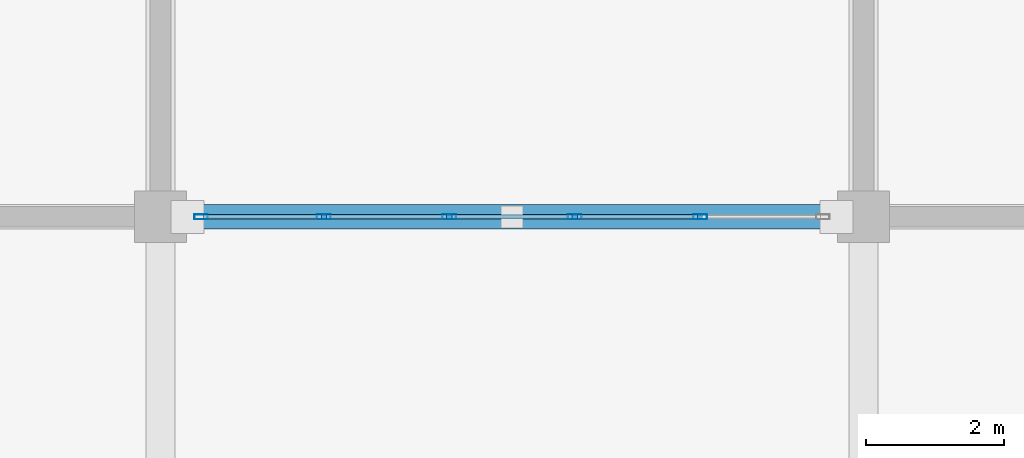
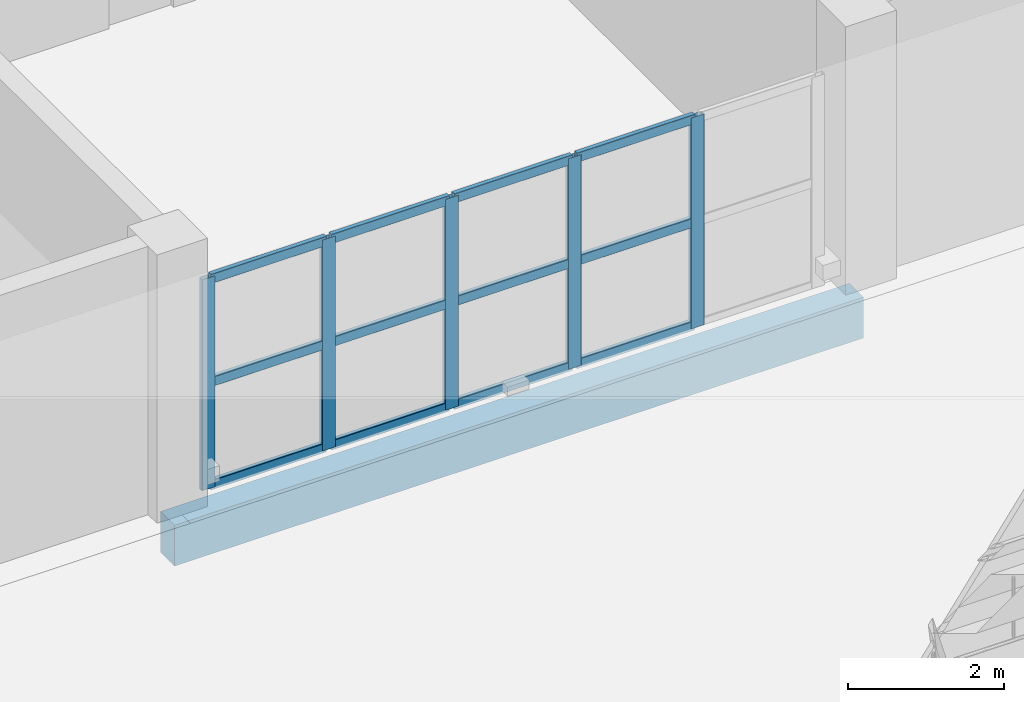
# One storey, part 35 of 157: 17 members, 1 beam, 1 element without a shape of its own.
"""IFC4 building model written with IfcOpenShell, lengths in metres."""

from ifc_helpers import new_model, si_unit, direction, frame, origin, origin_2d, place, context, subcontext, project, spatial, rectangle, hollow_rectangle, extrude, material, material_profile, profile_set, type_object, element, aggregate, save


model = new_model("IFC4")

# Units and contexts
model_context = context("Model", 3, precision=1e-05, world=origin(), true_north=direction((0.0, 1.0)))
body_context = subcontext(model_context, "Body", "Model", "MODEL_VIEW")
ifc_project = project(units=[si_unit("LENGTHUNIT", "METRE"), si_unit("AREAUNIT", "SQUARE_METRE"), si_unit("VOLUMEUNIT", "CUBIC_METRE"), si_unit("PLANEANGLEUNIT", "RADIAN"), si_unit("MASSUNIT", "GRAM", prefix="KILO")], contexts=[model_context])

# Site, building, storey
site_placement = place(None, origin())
site = spatial("IfcSite", under=ifc_project, at=site_placement, CompositionType="ELEMENT")
building_placement = place(site_placement, origin())
building = spatial("IfcBuilding", under=site, at=building_placement, Name="Brelvane Convention Centre", CompositionType="ELEMENT")
storey_placement = place(building_placement, frame((0.0, 0.0, 10.800048828125)))
storey = spatial("IfcBuildingStorey", under=building, at=storey_placement, Name="L02", CompositionType="ELEMENT", Elevation=10.800048828125)

# Curtain wall, members
ifc_material_1 = material(Name="Anodised Aluminium Alloy 6063-T6", Category="aluminium")
curtain_wall_type = type_object("IfcCurtainWallType", Name="Curtain Wall CW-COURT", PredefinedType="USERDEFINED", material=ifc_material_1)
curtain_wall_placement = place(storey_placement, origin())
curtain_wall = element("IfcCurtainWall", 1, at=curtain_wall_placement, inside=storey, type_object=curtain_wall_type, Name="Curtain Wall CW-COURT L02-V4S-03", ObjectType="UNITISED", PredefinedType="USERDEFINED")
ifc_material_2 = material(Name="Anodised Aluminium Alloy 6063-T6", Category="aluminium")
ifc_material_profile_1 = material_profile(ifc_material_2, hollow_rectangle(XDim=0.074951171875, YDim=0.199951171875, WallThickness=0.0048828125, InnerFilletRadius=0.0048828125, OuterFilletRadius=0.010009765625, at=origin_2d()), Name="ALU-M 200x75x5.0")
ifc_profile_set_1 = profile_set([ifc_material_profile_1], Name="Anodised Aluminium Alloy 6063-T6")
member_type_1 = type_object("IfcMemberType", Name="Curtain Mullion CW-M2", PredefinedType="MULLION", material=ifc_profile_set_1)
member_1_placement = place(storey_placement, frame((20.987548828125, 109.199951171875, 0.0), z_axis=(0.0, 0.0, 1.0), x_axis=(0.0, 1.0, 0.0)))
member_1 = element("IfcMember", 2, at=member_1_placement, type_object=member_type_1, Name="CW-COURT mullion 1", PredefinedType="MULLION", context=body_context, shape_type="SweptSolid", body=[
    extrude(hollow_rectangle(XDim=0.074951171875, YDim=0.199951171875, WallThickness=0.0048828125, InnerFilletRadius=0.0048828125, OuterFilletRadius=0.010009765625, at=origin_2d()), origin(), (0.0, 0.0, 1.0), 3.300048828125),
])
member_2_placement = place(storey_placement, frame((22.77001953125, 109.199951171875, 0.0), z_axis=(0.0, 0.0, 1.0), x_axis=(0.0, 1.0, 0.0)))
member_2 = element("IfcMember", 3, at=member_2_placement, type_object=member_type_1, Name="CW-COURT mullion 2", PredefinedType="MULLION", context=body_context, shape_type="SweptSolid", body=[
    extrude(hollow_rectangle(XDim=0.074951171875, YDim=0.199951171875, WallThickness=0.0048828125, InnerFilletRadius=0.0048828125, OuterFilletRadius=0.010009765625, at=origin_2d()), origin(), (0.0, 0.0, 1.0), 3.300048828125),
])
member_3_placement = place(storey_placement, frame((24.590087890625, 109.199951171875, 0.0), z_axis=(0.0, 0.0, 1.0), x_axis=(0.0, 1.0, 0.0)))
member_3 = element("IfcMember", 4, at=member_3_placement, type_object=member_type_1, Name="CW-COURT mullion 3", PredefinedType="MULLION", context=body_context, shape_type="SweptSolid", body=[
    extrude(hollow_rectangle(XDim=0.074951171875, YDim=0.199951171875, WallThickness=0.0048828125, InnerFilletRadius=0.0048828125, OuterFilletRadius=0.010009765625, at=origin_2d()), origin(), (0.0, 0.0, 1.0), 3.300048828125),
])
member_4_placement = place(storey_placement, frame((26.409912109375, 109.199951171875, 0.0), z_axis=(0.0, 0.0, 1.0), x_axis=(0.0, 1.0, 0.0)))
member_4 = element("IfcMember", 5, at=member_4_placement, type_object=member_type_1, Name="CW-COURT mullion 4", PredefinedType="MULLION", context=body_context, shape_type="SweptSolid", body=[
    extrude(hollow_rectangle(XDim=0.074951171875, YDim=0.199951171875, WallThickness=0.0048828125, InnerFilletRadius=0.0048828125, OuterFilletRadius=0.010009765625, at=origin_2d()), origin(), (0.0, 0.0, 1.0), 3.300048828125),
])
member_5_placement = place(storey_placement, frame((28.22998046875, 109.199951171875, 0.0), z_axis=(0.0, 0.0, 1.0), x_axis=(0.0, 1.0, 0.0)))
member_5 = element("IfcMember", 6, at=member_5_placement, type_object=member_type_1, Name="CW-COURT mullion 5", PredefinedType="MULLION", context=body_context, shape_type="SweptSolid", body=[
    extrude(hollow_rectangle(XDim=0.074951171875, YDim=0.199951171875, WallThickness=0.0048828125, InnerFilletRadius=0.0048828125, OuterFilletRadius=0.010009765625, at=origin_2d()), origin(), (0.0, 0.0, 1.0), 3.300048828125),
])
ifc_material_3 = material(Name="Anodised Aluminium Alloy 6063-T6", Category="aluminium")
ifc_material_profile_2 = material_profile(ifc_material_3, hollow_rectangle(XDim=0.070068359375, YDim=0.14990234375, WallThickness=0.00439453125, InnerFilletRadius=0.00439453125, OuterFilletRadius=0.009033203125, at=origin_2d()), Name="ALU-T 150x70x4.5")
ifc_profile_set_2 = profile_set([ifc_material_profile_2], Name="Anodised Aluminium Alloy 6063-T6")
member_type_2 = type_object("IfcMemberType", Name="Curtain Transom CW-T2", PredefinedType="USERDEFINED", material=ifc_profile_set_2)
member_6_placement = place(storey_placement, frame((21.02490234375, 109.199951171875, 0.034912109375), z_axis=(1.0, 0.0, 0.0), x_axis=(0.0, 1.0, 0.0)))
member_6 = element("IfcMember", 7, at=member_6_placement, type_object=member_type_2, Name="CW-COURT transom 1.1", ObjectType="TRANSOM", PredefinedType="USERDEFINED", context=body_context, shape_type="SweptSolid", body=[
    extrude(hollow_rectangle(XDim=0.070068359375, YDim=0.14990234375, WallThickness=0.00439453125, InnerFilletRadius=0.00439453125, OuterFilletRadius=0.009033203125, at=origin_2d()), origin(), (0.0, 0.0, 1.0), 1.70751953125),
])
member_7_placement = place(storey_placement, frame((21.02490234375, 109.199951171875, 1.64990234375), z_axis=(1.0, 0.0, 0.0), x_axis=(0.0, 1.0, 0.0)))
member_7 = element("IfcMember", 8, at=member_7_placement, type_object=member_type_2, Name="CW-COURT transom 1.2", ObjectType="TRANSOM", PredefinedType="USERDEFINED", context=body_context, shape_type="SweptSolid", body=[
    extrude(hollow_rectangle(XDim=0.070068359375, YDim=0.14990234375, WallThickness=0.00439453125, InnerFilletRadius=0.00439453125, OuterFilletRadius=0.009033203125, at=origin_2d()), origin(), (0.0, 0.0, 1.0), 1.70751953125),
])
member_8_placement = place(storey_placement, frame((21.02490234375, 109.199951171875, 3.264892578125), z_axis=(1.0, 0.0, 0.0), x_axis=(0.0, 1.0, 0.0)))
member_8 = element("IfcMember", 9, at=member_8_placement, type_object=member_type_2, Name="CW-COURT transom 1.3", ObjectType="TRANSOM", PredefinedType="USERDEFINED", context=body_context, shape_type="SweptSolid", body=[
    extrude(hollow_rectangle(XDim=0.070068359375, YDim=0.14990234375, WallThickness=0.00439453125, InnerFilletRadius=0.00439453125, OuterFilletRadius=0.009033203125, at=origin_2d()), origin(), (0.0, 0.0, 1.0), 1.70751953125),
])
member_9_placement = place(storey_placement, frame((22.8076171875, 109.199951171875, 0.034912109375), z_axis=(1.0, 0.0, 0.0), x_axis=(0.0, 1.0, 0.0)))
member_9 = element("IfcMember", 10, at=member_9_placement, type_object=member_type_2, Name="CW-COURT transom 2.1", ObjectType="TRANSOM", PredefinedType="USERDEFINED", context=body_context, shape_type="SweptSolid", body=[
    extrude(hollow_rectangle(XDim=0.070068359375, YDim=0.14990234375, WallThickness=0.00439453125, InnerFilletRadius=0.00439453125, OuterFilletRadius=0.009033203125, at=origin_2d()), origin(), (0.0, 0.0, 1.0), 1.744873046875),
])
member_10_placement = place(storey_placement, frame((22.8076171875, 109.199951171875, 1.64990234375), z_axis=(1.0, 0.0, 0.0), x_axis=(0.0, 1.0, 0.0)))
member_10 = element("IfcMember", 11, at=member_10_placement, type_object=member_type_2, Name="CW-COURT transom 2.2", ObjectType="TRANSOM", PredefinedType="USERDEFINED", context=body_context, shape_type="SweptSolid", body=[
    extrude(hollow_rectangle(XDim=0.070068359375, YDim=0.14990234375, WallThickness=0.00439453125, InnerFilletRadius=0.00439453125, OuterFilletRadius=0.009033203125, at=origin_2d()), origin(), (0.0, 0.0, 1.0), 1.744873046875),
])
member_11_placement = place(storey_placement, frame((22.8076171875, 109.199951171875, 3.264892578125), z_axis=(1.0, 0.0, 0.0), x_axis=(0.0, 1.0, 0.0)))
member_11 = element("IfcMember", 12, at=member_11_placement, type_object=member_type_2, Name="CW-COURT transom 2.3", ObjectType="TRANSOM", PredefinedType="USERDEFINED", context=body_context, shape_type="SweptSolid", body=[
    extrude(hollow_rectangle(XDim=0.070068359375, YDim=0.14990234375, WallThickness=0.00439453125, InnerFilletRadius=0.00439453125, OuterFilletRadius=0.009033203125, at=origin_2d()), origin(), (0.0, 0.0, 1.0), 1.744873046875),
])
member_12_placement = place(storey_placement, frame((24.62744140625, 109.199951171875, 0.034912109375), z_axis=(1.0, 0.0, 0.0), x_axis=(0.0, 1.0, 0.0)))
member_12 = element("IfcMember", 13, at=member_12_placement, type_object=member_type_2, Name="CW-COURT transom 3.1", ObjectType="TRANSOM", PredefinedType="USERDEFINED", context=body_context, shape_type="SweptSolid", body=[
    extrude(hollow_rectangle(XDim=0.070068359375, YDim=0.14990234375, WallThickness=0.00439453125, InnerFilletRadius=0.00439453125, OuterFilletRadius=0.009033203125, at=origin_2d()), origin(), (0.0, 0.0, 1.0), 1.7451171875),
])
member_13_placement = place(storey_placement, frame((24.62744140625, 109.199951171875, 1.64990234375), z_axis=(1.0, 0.0, 0.0), x_axis=(0.0, 1.0, 0.0)))
member_13 = element("IfcMember", 14, at=member_13_placement, type_object=member_type_2, Name="CW-COURT transom 3.2", ObjectType="TRANSOM", PredefinedType="USERDEFINED", context=body_context, shape_type="SweptSolid", body=[
    extrude(hollow_rectangle(XDim=0.070068359375, YDim=0.14990234375, WallThickness=0.00439453125, InnerFilletRadius=0.00439453125, OuterFilletRadius=0.009033203125, at=origin_2d()), origin(), (0.0, 0.0, 1.0), 1.7451171875),
])
member_14_placement = place(storey_placement, frame((24.62744140625, 109.199951171875, 3.264892578125), z_axis=(1.0, 0.0, 0.0), x_axis=(0.0, 1.0, 0.0)))
member_14 = element("IfcMember", 15, at=member_14_placement, type_object=member_type_2, Name="CW-COURT transom 3.3", ObjectType="TRANSOM", PredefinedType="USERDEFINED", context=body_context, shape_type="SweptSolid", body=[
    extrude(hollow_rectangle(XDim=0.070068359375, YDim=0.14990234375, WallThickness=0.00439453125, InnerFilletRadius=0.00439453125, OuterFilletRadius=0.009033203125, at=origin_2d()), origin(), (0.0, 0.0, 1.0), 1.7451171875),
])
member_15_placement = place(storey_placement, frame((26.447509765625, 109.199951171875, 0.034912109375), z_axis=(1.0, 0.0, 0.0), x_axis=(0.0, 1.0, 0.0)))
member_15 = element("IfcMember", 16, at=member_15_placement, type_object=member_type_2, Name="CW-COURT transom 4.1", ObjectType="TRANSOM", PredefinedType="USERDEFINED", context=body_context, shape_type="SweptSolid", body=[
    extrude(hollow_rectangle(XDim=0.070068359375, YDim=0.14990234375, WallThickness=0.00439453125, InnerFilletRadius=0.00439453125, OuterFilletRadius=0.009033203125, at=origin_2d()), origin(), (0.0, 0.0, 1.0), 1.744873046875),
])
member_16_placement = place(storey_placement, frame((26.447509765625, 109.199951171875, 1.64990234375), z_axis=(1.0, 0.0, 0.0), x_axis=(0.0, 1.0, 0.0)))
member_16 = element("IfcMember", 17, at=member_16_placement, type_object=member_type_2, Name="CW-COURT transom 4.2", ObjectType="TRANSOM", PredefinedType="USERDEFINED", context=body_context, shape_type="SweptSolid", body=[
    extrude(hollow_rectangle(XDim=0.070068359375, YDim=0.14990234375, WallThickness=0.00439453125, InnerFilletRadius=0.00439453125, OuterFilletRadius=0.009033203125, at=origin_2d()), origin(), (0.0, 0.0, 1.0), 1.744873046875),
])
member_17_placement = place(storey_placement, frame((26.447509765625, 109.199951171875, 3.264892578125), z_axis=(1.0, 0.0, 0.0), x_axis=(0.0, 1.0, 0.0)))
member_17 = element("IfcMember", 18, at=member_17_placement, type_object=member_type_2, Name="CW-COURT transom 4.3", ObjectType="TRANSOM", PredefinedType="USERDEFINED", context=body_context, shape_type="SweptSolid", body=[
    extrude(hollow_rectangle(XDim=0.070068359375, YDim=0.14990234375, WallThickness=0.00439453125, InnerFilletRadius=0.00439453125, OuterFilletRadius=0.009033203125, at=origin_2d()), origin(), (0.0, 0.0, 1.0), 1.744873046875),
])
aggregate(curtain_wall, [member_1, member_2, member_3, member_4, member_5, member_6, member_7, member_8, member_9, member_10, member_11, member_12, member_13, member_14, member_15, member_16, member_17])

# Beam
ifc_material_4 = material(Name="Concrete M40", Category="concrete")
ifc_material_profile_3 = material_profile(ifc_material_4, rectangle(XDim=0.360107421875, YDim=0.639892578125, at=origin_2d()), Name="RC 360x640")
ifc_profile_set_3 = profile_set([ifc_material_profile_3], Name="Concrete M40")
beam_type = type_object("IfcBeamType", Name="RC Spandrel SP-RC3 (RC 360x640)", PredefinedType="SPANDREL", material=ifc_profile_set_3)
beam_placement = place(storey_placement, frame((20.39990234375, 109.199951171875, -0.60009765625), z_axis=(1.0, 0.0, 0.0), x_axis=(0.0, 1.0, 0.0)))
element("IfcBeam", 19, at=beam_placement, inside=storey, type_object=beam_type, Name="L02 Beam 3-4/L", PredefinedType="SPANDREL", context=body_context, shape_type="SweptSolid", body=[
    extrude(rectangle(XDim=0.360107421875, YDim=0.639892578125, at=origin_2d()), origin(), (0.0, 0.0, 1.0), 10.2001953125),
])

save(model, "model.ifc")
